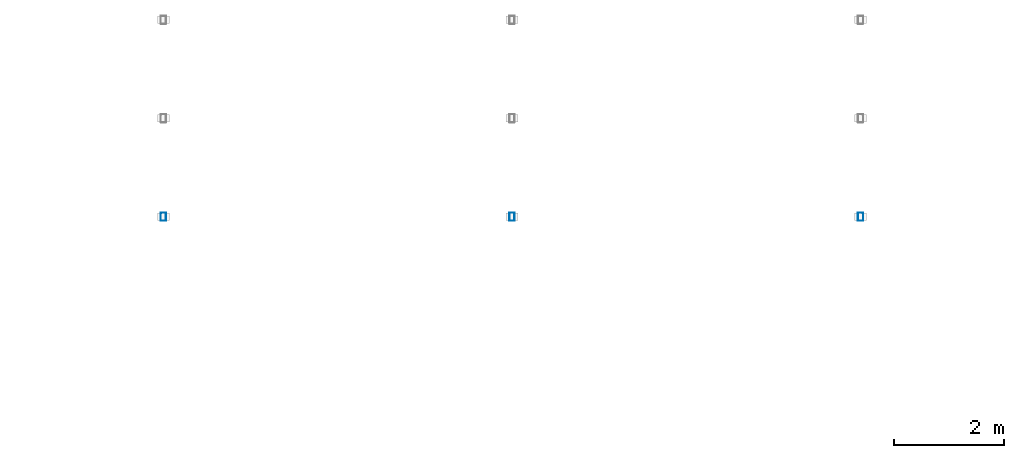
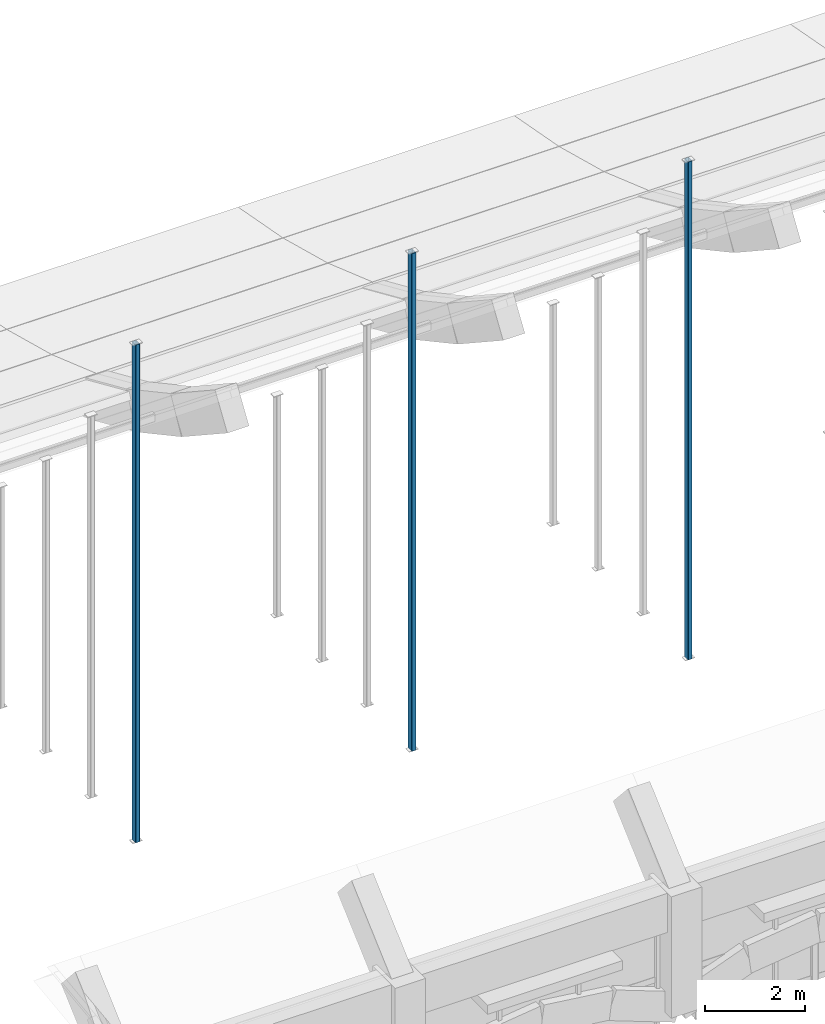
# One storey, part 26 of 77: 3 members.
"""IFC4 building model written with IfcOpenShell, lengths in metres."""

from ifc_helpers import new_model, si_unit, direction, frame, origin, origin_2d, place, context, subcontext, project, spatial, hollow_rectangle, extrude, material, material_profile, profile_set, type_object, element, save


model = new_model("IFC4")

# Units and contexts
model_context = context("Model", 3, precision=1e-05, world=origin(), true_north=direction((0.0, 1.0)))
body_context = subcontext(model_context, "Body", "Model", "MODEL_VIEW")
ifc_project = project(units=[si_unit("LENGTHUNIT", "METRE"), si_unit("AREAUNIT", "SQUARE_METRE"), si_unit("VOLUMEUNIT", "CUBIC_METRE"), si_unit("PLANEANGLEUNIT", "RADIAN"), si_unit("MASSUNIT", "GRAM", prefix="KILO")], contexts=[model_context])

# Site, building, storey
site_placement = place(None, origin())
site = spatial("IfcSite", under=ifc_project, at=site_placement, CompositionType="ELEMENT")
building_placement = place(site_placement, origin())
building = spatial("IfcBuilding", under=site, at=building_placement, Name="Trellovar Central Fire Station", CompositionType="ELEMENT")
storey_placement = place(building_placement, frame((0.0, 0.0, 5.85009765625)))
storey = spatial("IfcBuildingStorey", under=building, at=storey_placement, Name="L02", CompositionType="ELEMENT", Elevation=5.85009765625)

# Members
ifc_material = material(Name="Steel ASTM A500 Grade C", Category="steel")
ifc_material_profile = material_profile(ifc_material, hollow_rectangle(XDim=0.1015625, YDim=0.15234375, WallThickness=0.005859375, InnerFilletRadius=0.005859375, OuterFilletRadius=0.01171875, at=origin_2d()), Name="HSS6X4X1/4")
ifc_profile_set = profile_set([ifc_material_profile], Name="Steel ASTM A500 Grade C")
member_type = type_object("IfcMemberType", Name="MEM-ST2", PredefinedType="STRUT", material=ifc_profile_set)
for number, where, z_axis, x_axis, name in (
    (1, (66.75, 24.47998046875, -0.2001953125), (0.0, 0.0, 1.0), (1.0, 0.0, 0.0), "V1 tied-arch web post 06 Y=24.5"),
    (2, (73.10009765625, 24.47998046875, -0.2001953125), (0.0, 0.0, 1.0), (1.0, 0.0, 0.0), "V1 tied-arch web post 07 Y=24.5"),
    (3, (79.449951171875, 24.47998046875, -0.2001953125), (0.0, 0.0, 1.0), (1.0, 0.0, 0.0), "V1 tied-arch web post 08 Y=24.5"),
):
    element("IfcMember", number, at=place(storey_placement, frame(where, z_axis=z_axis, x_axis=x_axis)), inside=storey, type_object=member_type, Name=name, PredefinedType="STRUT", context=body_context, shape_type="SweptSolid", body=[
        extrude(hollow_rectangle(XDim=0.1015625, YDim=0.15234375, WallThickness=0.005859375, InnerFilletRadius=0.005859375, OuterFilletRadius=0.01171875, at=origin_2d()), origin(), (0.0, 0.0, 1.0), 12.10009765625),
    ])

save(model, "model.ifc")
